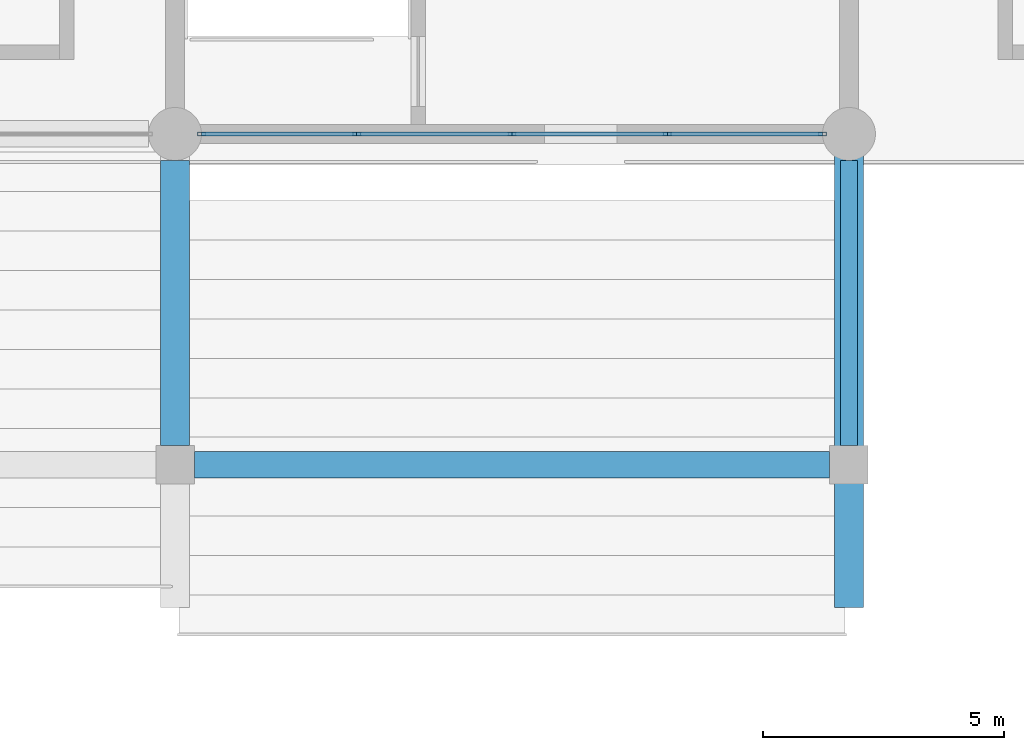
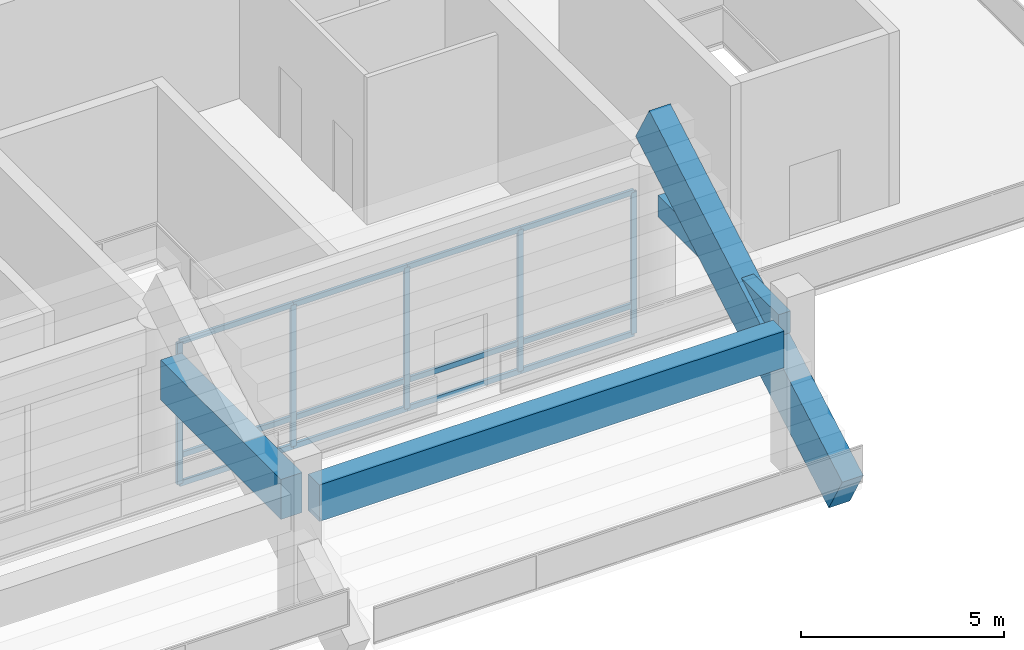
# One storey, part 52 of 90: 17 members, 4 beams, 1 element without a shape of its own.
"""IFC4 building model written with IfcOpenShell, lengths in metres."""

from ifc_helpers import new_model, si_unit, direction, frame, origin, origin_2d, place, context, subcontext, project, spatial, rectangle, hollow_rectangle, extrude, material, material_profile, profile_set, type_object, element, aggregate, save


model = new_model("IFC4")

# Units and contexts
model_context = context("Model", 3, precision=1e-05, world=origin(), true_north=direction((0.0, 1.0)))
body_context = subcontext(model_context, "Body", "Model", "MODEL_VIEW")
ifc_project = project(units=[si_unit("LENGTHUNIT", "METRE"), si_unit("AREAUNIT", "SQUARE_METRE"), si_unit("VOLUMEUNIT", "CUBIC_METRE"), si_unit("PLANEANGLEUNIT", "RADIAN"), si_unit("MASSUNIT", "GRAM", prefix="KILO")], contexts=[model_context])

# Site, building, storey
site_placement = place(None, origin())
site = spatial("IfcSite", under=ifc_project, at=site_placement, CompositionType="ELEMENT")
building_placement = place(site_placement, origin())
building = spatial("IfcBuilding", under=site, at=building_placement, Name="Linyun Crest Stadium", CompositionType="ELEMENT")
storey_placement = place(building_placement, frame((0.0, 0.0, 21.0)))
storey = spatial("IfcBuildingStorey", under=building, at=storey_placement, Name="L05", CompositionType="ELEMENT", Elevation=21.0)

# Beam
ifc_material_1 = material(Name="Concrete C40", Category="concrete")
ifc_material_profile_1 = material_profile(ifc_material_1, rectangle(XDim=0.35009765625, YDim=0.64990234375, at=origin_2d()), Name="RCB 650x350")
ifc_profile_set_1 = profile_set([ifc_material_profile_1], Name="Concrete C40")
beam_type_1 = type_object("IfcBeamType", Name="B02", PredefinedType="BEAM", material=ifc_profile_set_1)
beam_1_placement = place(storey_placement, frame((28.0, 85.02490234375, 4.010009765625), z_axis=(0.0, 1.0, 0.0), x_axis=(-1.0, 0.0, 0.0)))
element("IfcBeam", 1, at=beam_1_placement, inside=storey, type_object=beam_type_1, Name="Frame beam B02 L05 833", PredefinedType="BEAM", context=body_context, shape_type="SweptSolid", body=[
    extrude(rectangle(XDim=0.35009765625, YDim=0.64990234375, at=origin_2d()), origin(), (0.0, 0.0, 1.0), 5.925048828125),
])

# Curtain wall, members
ifc_material_2 = material(Name="Verdigris steel and low-E curtain wall assembly", Category="steel")
curtain_wall_type = type_object("IfcCurtainWallType", Name="MCW03", PredefinedType="NOTDEFINED", material=ifc_material_2)
curtain_wall_placement = place(storey_placement, origin())
curtain_wall = element("IfcCurtainWall", 2, at=curtain_wall_placement, inside=storey, type_object=curtain_wall_type, Name="CWR-151", PredefinedType="NOTDEFINED")
ifc_material_3 = material(Name="Aluminium thermally broken mullion", Category="aluminium")
ifc_material_profile_2 = material_profile(ifc_material_3, hollow_rectangle(XDim=0.080078125, YDim=0.159912109375, WallThickness=0.006103515625, at=origin_2d()), Name="RHS 160x80x6")
ifc_profile_set_2 = profile_set([ifc_material_profile_2], Name="Aluminium thermally broken mullion")
member_type_1 = type_object("IfcMemberType", Name="ML01", PredefinedType="MULLION", material=ifc_profile_set_2)
member_1_placement = place(storey_placement, frame((14.550048828125, 91.5, 0.0), z_axis=(0.0, 0.0, 1.0), x_axis=(0.0, 1.0, 0.0)))
member_1 = element("IfcMember", 3, at=member_1_placement, type_object=member_type_1, Name="CWR-151 mullion 1", PredefinedType="MULLION", context=body_context, shape_type="SweptSolid", body=[
    extrude(hollow_rectangle(XDim=0.080078125, YDim=0.159912109375, WallThickness=0.006103515625, at=origin_2d()), origin(), (0.0, 0.0, 1.0), 4.25),
])
member_2_placement = place(storey_placement, frame((17.77490234375, 91.5, 0.0), z_axis=(0.0, 0.0, 1.0), x_axis=(0.0, 1.0, 0.0)))
member_2 = element("IfcMember", 4, at=member_2_placement, type_object=member_type_1, Name="CWR-151 mullion 2", PredefinedType="MULLION", context=body_context, shape_type="SweptSolid", body=[
    extrude(hollow_rectangle(XDim=0.080078125, YDim=0.159912109375, WallThickness=0.006103515625, at=origin_2d()), origin(), (0.0, 0.0, 1.0), 4.25),
])
member_3_placement = place(storey_placement, frame((21.0, 91.5, 0.0), z_axis=(0.0, 0.0, 1.0), x_axis=(0.0, 1.0, 0.0)))
member_3 = element("IfcMember", 5, at=member_3_placement, type_object=member_type_1, Name="CWR-151 mullion 3", PredefinedType="MULLION", context=body_context, shape_type="SweptSolid", body=[
    extrude(hollow_rectangle(XDim=0.080078125, YDim=0.159912109375, WallThickness=0.006103515625, at=origin_2d()), origin(), (0.0, 0.0, 1.0), 4.25),
])
member_4_placement = place(storey_placement, frame((24.22509765625, 91.5, 0.0), z_axis=(0.0, 0.0, 1.0), x_axis=(0.0, 1.0, 0.0)))
member_4 = element("IfcMember", 6, at=member_4_placement, type_object=member_type_1, Name="CWR-151 mullion 4", PredefinedType="MULLION", context=body_context, shape_type="SweptSolid", body=[
    extrude(hollow_rectangle(XDim=0.080078125, YDim=0.159912109375, WallThickness=0.006103515625, at=origin_2d()), origin(), (0.0, 0.0, 1.0), 4.25),
])
member_5_placement = place(storey_placement, frame((27.449951171875, 91.5, 0.0), z_axis=(0.0, 0.0, 1.0), x_axis=(0.0, 1.0, 0.0)))
member_5 = element("IfcMember", 7, at=member_5_placement, type_object=member_type_1, Name="CWR-151 mullion 5", PredefinedType="MULLION", context=body_context, shape_type="SweptSolid", body=[
    extrude(hollow_rectangle(XDim=0.080078125, YDim=0.159912109375, WallThickness=0.006103515625, at=origin_2d()), origin(), (0.0, 0.0, 1.0), 4.25),
])

# Beams
ifc_material_4 = material(Name="Precast concrete C50", Category="concrete")
ifc_material_profile_3 = material_profile(ifc_material_4, rectangle(XDim=0.60009765625, YDim=1.35009765625, at=origin_2d()), Name="PCR 1350x600")
ifc_profile_set_3 = profile_set([ifc_material_profile_3], Name="Precast concrete C50")
beam_type_2 = type_object("IfcBeamType", Name="RB03", PredefinedType="USERDEFINED", material=ifc_profile_set_3)
beam_2_placement = place(storey_placement, frame((28.0, 82.0, 0.800048828125), z_axis=(0.0, 0.869371049884, 0.494159870511), x_axis=(-1.0, 0.0, 0.0)))
element("IfcBeam", 8, at=beam_2_placement, inside=storey, type_object=beam_type_2, Name="Precast raker beam RB03 V3 92", ObjectType="RAKER", PredefinedType="USERDEFINED", context=body_context, shape_type="SweptSolid", body=[
    extrude(rectangle(XDim=0.60009765625, YDim=1.35009765625, at=origin_2d()), origin(), (0.0, 0.0, 1.0), 10.927490234375),
])
ifc_material_5 = material(Name="Concrete C50", Category="concrete")
ifc_material_profile_4 = material_profile(ifc_material_5, rectangle(XDim=0.550048828125, YDim=1.10009765625, at=origin_2d()), Name="RCB 1100x550")
ifc_profile_set_4 = profile_set([ifc_material_profile_4], Name="Concrete C50")
beam_type_3 = type_object("IfcBeamType", Name="TB01", PredefinedType="USERDEFINED", material=ifc_profile_set_4)
beam_3_placement = place(storey_placement, frame((14.39990234375, 84.625, 3.784912109375), z_axis=(1.0, 0.0, 0.0), x_axis=(0.0, 1.0, 0.0)))
element("IfcBeam", 9, at=beam_3_placement, inside=storey, type_object=beam_type_3, Name="Frame beam TB01 L05 823", ObjectType="GIRDER", PredefinedType="USERDEFINED", context=body_context, shape_type="SweptSolid", body=[
    extrude(rectangle(XDim=0.550048828125, YDim=1.10009765625, at=origin_2d()), origin(), (0.0, 0.0, 1.0), 13.2001953125),
])
ifc_material_6 = material(Name="Concrete C50", Category="concrete")
ifc_material_profile_5 = material_profile(ifc_material_6, rectangle(XDim=0.60009765625, YDim=1.199951171875, at=origin_2d()), Name="RCB 1200x600")
ifc_profile_set_5 = profile_set([ifc_material_profile_5], Name="Concrete C50")
beam_type_4 = type_object("IfcBeamType", Name="TB02", PredefinedType="USERDEFINED", material=ifc_profile_set_5)
beam_4_placement = place(storey_placement, frame((14.0, 85.02490234375, 3.735107421875), z_axis=(0.0, 1.0, 0.0), x_axis=(-1.0, 0.0, 0.0)))
element("IfcBeam", 10, at=beam_4_placement, inside=storey, type_object=beam_type_4, Name="Frame beam TB02 L05 832", ObjectType="GIRDER", PredefinedType="USERDEFINED", context=body_context, shape_type="SweptSolid", body=[
    extrude(rectangle(XDim=0.60009765625, YDim=1.199951171875, at=origin_2d()), origin(), (0.0, 0.0, 1.0), 5.925048828125),
])

# Member
ifc_material_7 = material(Name="Aluminium thermally broken transom", Category="aluminium")
ifc_material_profile_6 = material_profile(ifc_material_7, hollow_rectangle(XDim=0.080078125, YDim=0.159912109375, WallThickness=0.006103515625, at=origin_2d()), Name="RHS 160x80x6")
ifc_profile_set_6 = profile_set([ifc_material_profile_6], Name="Aluminium thermally broken transom")
member_type_2 = type_object("IfcMemberType", Name="TR01", PredefinedType="USERDEFINED", material=ifc_profile_set_6)
member_6_placement = place(storey_placement, frame((14.550048828125, 91.5, 0.0), z_axis=(1.0, 0.0, 0.0), x_axis=(0.0, 1.0, 0.0)))
member_6 = element("IfcMember", 11, at=member_6_placement, type_object=member_type_2, Name="CWR-151 transom 1.1", ObjectType="TRANSOM", PredefinedType="USERDEFINED", context=body_context, shape_type="SweptSolid", body=[
    extrude(hollow_rectangle(XDim=0.080078125, YDim=0.159912109375, WallThickness=0.006103515625, at=origin_2d()), origin(), (0.0, 0.0, 1.0), 3.224853515625),
])

member_7_placement = place(storey_placement, frame((14.550048828125, 91.5, 0.85009765625), z_axis=(1.0, 0.0, 0.0), x_axis=(0.0, 1.0, 0.0)))
member_7 = element("IfcMember", 12, at=member_7_placement, type_object=member_type_2, Name="CWR-151 transom 1.2", ObjectType="TRANSOM", PredefinedType="USERDEFINED", context=body_context, shape_type="SweptSolid", body=[
    extrude(hollow_rectangle(XDim=0.080078125, YDim=0.159912109375, WallThickness=0.006103515625, at=origin_2d()), origin(), (0.0, 0.0, 1.0), 3.224853515625),
])

member_8_placement = place(storey_placement, frame((14.550048828125, 91.5, 4.25), z_axis=(1.0, 0.0, 0.0), x_axis=(0.0, 1.0, 0.0)))
member_8 = element("IfcMember", 13, at=member_8_placement, type_object=member_type_2, Name="CWR-151 transom 1.3", ObjectType="TRANSOM", PredefinedType="USERDEFINED", context=body_context, shape_type="SweptSolid", body=[
    extrude(hollow_rectangle(XDim=0.080078125, YDim=0.159912109375, WallThickness=0.006103515625, at=origin_2d()), origin(), (0.0, 0.0, 1.0), 3.224853515625),
])

member_9_placement = place(storey_placement, frame((17.77490234375, 91.5, 0.0), z_axis=(1.0, 0.0, 0.0), x_axis=(0.0, 1.0, 0.0)))
member_9 = element("IfcMember", 14, at=member_9_placement, type_object=member_type_2, Name="CWR-151 transom 2.1", ObjectType="TRANSOM", PredefinedType="USERDEFINED", context=body_context, shape_type="SweptSolid", body=[
    extrude(hollow_rectangle(XDim=0.080078125, YDim=0.159912109375, WallThickness=0.006103515625, at=origin_2d()), origin(), (0.0, 0.0, 1.0), 3.22509765625),
])

member_10_placement = place(storey_placement, frame((17.77490234375, 91.5, 0.85009765625), z_axis=(1.0, 0.0, 0.0), x_axis=(0.0, 1.0, 0.0)))
member_10 = element("IfcMember", 15, at=member_10_placement, type_object=member_type_2, Name="CWR-151 transom 2.2", ObjectType="TRANSOM", PredefinedType="USERDEFINED", context=body_context, shape_type="SweptSolid", body=[
    extrude(hollow_rectangle(XDim=0.080078125, YDim=0.159912109375, WallThickness=0.006103515625, at=origin_2d()), origin(), (0.0, 0.0, 1.0), 3.22509765625),
])

member_11_placement = place(storey_placement, frame((17.77490234375, 91.5, 4.25), z_axis=(1.0, 0.0, 0.0), x_axis=(0.0, 1.0, 0.0)))
member_11 = element("IfcMember", 16, at=member_11_placement, type_object=member_type_2, Name="CWR-151 transom 2.3", ObjectType="TRANSOM", PredefinedType="USERDEFINED", context=body_context, shape_type="SweptSolid", body=[
    extrude(hollow_rectangle(XDim=0.080078125, YDim=0.159912109375, WallThickness=0.006103515625, at=origin_2d()), origin(), (0.0, 0.0, 1.0), 3.22509765625),
])

member_12_placement = place(storey_placement, frame((21.0, 91.5, 0.0), z_axis=(1.0, 0.0, 0.0), x_axis=(0.0, 1.0, 0.0)))
member_12 = element("IfcMember", 17, at=member_12_placement, type_object=member_type_2, Name="CWR-151 transom 3.1", ObjectType="TRANSOM", PredefinedType="USERDEFINED", context=body_context, shape_type="SweptSolid", body=[
    extrude(hollow_rectangle(XDim=0.080078125, YDim=0.159912109375, WallThickness=0.006103515625, at=origin_2d()), origin(), (0.0, 0.0, 1.0), 3.22509765625),
])

member_13_placement = place(storey_placement, frame((21.0, 91.5, 0.85009765625), z_axis=(1.0, 0.0, 0.0), x_axis=(0.0, 1.0, 0.0)))
member_13 = element("IfcMember", 18, at=member_13_placement, type_object=member_type_2, Name="CWR-151 transom 3.2", ObjectType="TRANSOM", PredefinedType="USERDEFINED", context=body_context, shape_type="SweptSolid", body=[
    extrude(hollow_rectangle(XDim=0.080078125, YDim=0.159912109375, WallThickness=0.006103515625, at=origin_2d()), origin(), (0.0, 0.0, 1.0), 3.22509765625),
])

member_14_placement = place(storey_placement, frame((21.0, 91.5, 4.25), z_axis=(1.0, 0.0, 0.0), x_axis=(0.0, 1.0, 0.0)))
member_14 = element("IfcMember", 19, at=member_14_placement, type_object=member_type_2, Name="CWR-151 transom 3.3", ObjectType="TRANSOM", PredefinedType="USERDEFINED", context=body_context, shape_type="SweptSolid", body=[
    extrude(hollow_rectangle(XDim=0.080078125, YDim=0.159912109375, WallThickness=0.006103515625, at=origin_2d()), origin(), (0.0, 0.0, 1.0), 3.22509765625),
])

member_15_placement = place(storey_placement, frame((24.22509765625, 91.5, 0.0), z_axis=(1.0, 0.0, 0.0), x_axis=(0.0, 1.0, 0.0)))
member_15 = element("IfcMember", 20, at=member_15_placement, type_object=member_type_2, Name="CWR-151 transom 4.1", ObjectType="TRANSOM", PredefinedType="USERDEFINED", context=body_context, shape_type="SweptSolid", body=[
    extrude(hollow_rectangle(XDim=0.080078125, YDim=0.159912109375, WallThickness=0.006103515625, at=origin_2d()), origin(), (0.0, 0.0, 1.0), 3.224853515625),
])

member_16_placement = place(storey_placement, frame((24.22509765625, 91.5, 0.85009765625), z_axis=(1.0, 0.0, 0.0), x_axis=(0.0, 1.0, 0.0)))
member_16 = element("IfcMember", 21, at=member_16_placement, type_object=member_type_2, Name="CWR-151 transom 4.2", ObjectType="TRANSOM", PredefinedType="USERDEFINED", context=body_context, shape_type="SweptSolid", body=[
    extrude(hollow_rectangle(XDim=0.080078125, YDim=0.159912109375, WallThickness=0.006103515625, at=origin_2d()), origin(), (0.0, 0.0, 1.0), 3.224853515625),
])

member_17_placement = place(storey_placement, frame((24.22509765625, 91.5, 4.25), z_axis=(1.0, 0.0, 0.0), x_axis=(0.0, 1.0, 0.0)))
member_17 = element("IfcMember", 22, at=member_17_placement, type_object=member_type_2, Name="CWR-151 transom 4.3", ObjectType="TRANSOM", PredefinedType="USERDEFINED", context=body_context, shape_type="SweptSolid", body=[
    extrude(hollow_rectangle(XDim=0.080078125, YDim=0.159912109375, WallThickness=0.006103515625, at=origin_2d()), origin(), (0.0, 0.0, 1.0), 3.224853515625),
])

aggregate(curtain_wall, [member_1, member_2, member_3, member_4, member_5, member_6, member_7, member_8, member_9, member_10, member_11, member_12, member_13, member_14, member_15, member_16, member_17])

save(model, "model.ifc")
